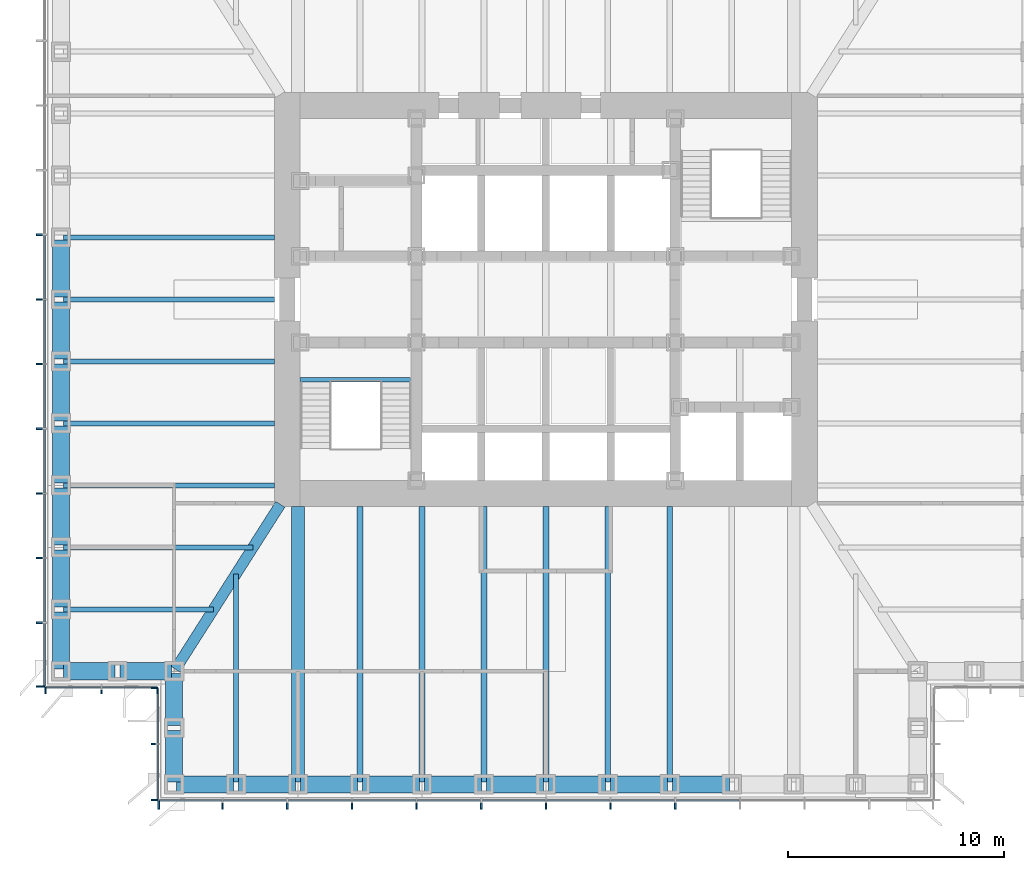
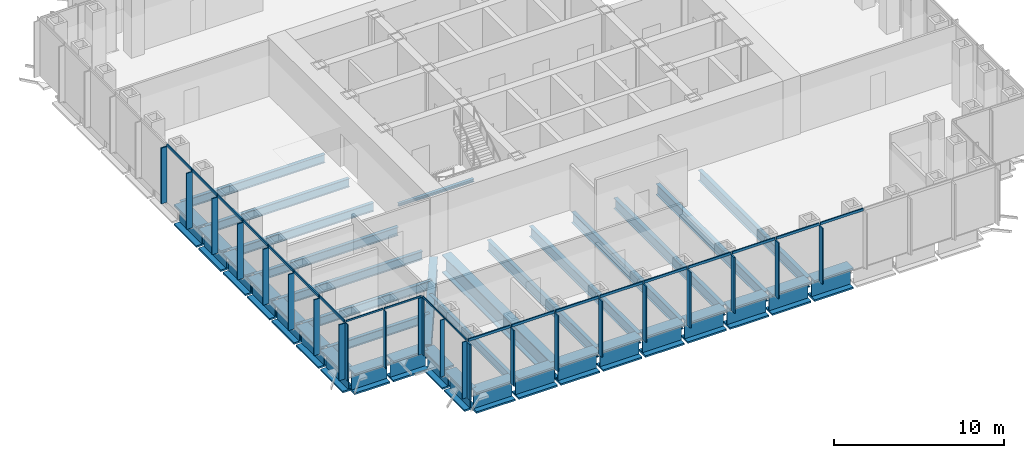
# One storey, part 2 of 17: 43 members, 37 beams, 4 elements without a shape of their own.
"""IFC4 building model written with IfcOpenShell, lengths in metres."""

from ifc_helpers import new_model, si_unit, direction, frame, origin, origin_2d, place, context, subcontext, project, spatial, rectangle, i_section, extrude, material, material_profile, profile_set, type_object, element, aggregate, save


model = new_model("IFC4")

# Units and contexts
model_context = context("Model", 3, precision=1e-05, world=origin(), true_north=direction((0.0, 1.0)))
body_context = subcontext(model_context, "Body", "Model", "MODEL_VIEW")
ifc_project = project(units=[si_unit("LENGTHUNIT", "METRE"), si_unit("AREAUNIT", "SQUARE_METRE"), si_unit("VOLUMEUNIT", "CUBIC_METRE"), si_unit("PLANEANGLEUNIT", "RADIAN"), si_unit("MASSUNIT", "GRAM", prefix="KILO")], contexts=[model_context])

# Site, building, storey
site_placement = place(None, origin())
site = spatial("IfcSite", under=ifc_project, at=site_placement, CompositionType="ELEMENT")
building_placement = place(site_placement, origin())
building = spatial("IfcBuilding", under=site, at=building_placement, Name="Daluyong Arena Tower", CompositionType="ELEMENT")
storey_placement = place(building_placement, frame((0.0, 0.0, 112.300048828125)))
storey = spatial("IfcBuildingStorey", under=building, at=storey_placement, Name="L24", CompositionType="ELEMENT", Elevation=112.300048828125)

# Curtain wall, members
ifc_material_1 = material(Name="Bronze anodised aluminium and glass", Category="aluminium")
curtain_wall_type_1 = type_object("IfcCurtainWallType", Name="Curtain wall CW2", PredefinedType="USERDEFINED", material=ifc_material_1)
curtain_wall_1_placement = place(storey_placement, origin())
curtain_wall_1 = element("IfcCurtainWall", 1, at=curtain_wall_1_placement, inside=storey, type_object=curtain_wall_type_1, Name="curtain wall L24 S", ObjectType="UNITISED CURTAIN WALL", PredefinedType="USERDEFINED")
ifc_material_2 = material(Name="Bronze anodised aluminium fin", Category="aluminium")
ifc_material_profile_1 = material_profile(ifc_material_2, rectangle(XDim=0.39990234375, YDim=0.080078125, at=origin_2d()))
ifc_profile_set_1 = profile_set([ifc_material_profile_1], Name="Bronze anodised aluminium fin")
member_type_1 = type_object("IfcMemberType", Name="CW2 bronze fin 400x80", PredefinedType="MULLION", material=ifc_profile_set_1)
member_1_placement = place(storey_placement, frame((38.0400390625, 56.550048828125, 0.0), z_axis=(0.0, 0.0, 1.0), x_axis=(0.0, 1.0, 0.0)))
member_1 = element("IfcMember", 2, at=member_1_placement, type_object=member_type_1, Name="curtain wall L24 S fin 1", PredefinedType="MULLION", context=body_context, shape_type="SweptSolid", body=[
    extrude(rectangle(XDim=0.39990234375, YDim=0.080078125, at=origin_2d()), origin(), (0.0, 0.0, 1.0), 4.02001953125),
])
member_2_placement = place(storey_placement, frame((41.0, 56.550048828125, 0.0), z_axis=(0.0, 0.0, 1.0), x_axis=(0.0, 1.0, 0.0)))
member_2 = element("IfcMember", 3, at=member_2_placement, type_object=member_type_1, Name="curtain wall L24 S fin 2", PredefinedType="MULLION", context=body_context, shape_type="SweptSolid", body=[
    extrude(rectangle(XDim=0.39990234375, YDim=0.080078125, at=origin_2d()), origin(), (0.0, 0.0, 1.0), 4.02001953125),
])
member_3_placement = place(storey_placement, frame((44.0, 56.550048828125, 0.0), z_axis=(0.0, 0.0, 1.0), x_axis=(0.0, 1.0, 0.0)))
member_3 = element("IfcMember", 4, at=member_3_placement, type_object=member_type_1, Name="curtain wall L24 S fin 3", PredefinedType="MULLION", context=body_context, shape_type="SweptSolid", body=[
    extrude(rectangle(XDim=0.39990234375, YDim=0.080078125, at=origin_2d()), origin(), (0.0, 0.0, 1.0), 4.02001953125),
])
member_4_placement = place(storey_placement, frame((47.0, 56.550048828125, 0.0), z_axis=(0.0, 0.0, 1.0), x_axis=(0.0, 1.0, 0.0)))
member_4 = element("IfcMember", 5, at=member_4_placement, type_object=member_type_1, Name="curtain wall L24 S fin 4", PredefinedType="MULLION", context=body_context, shape_type="SweptSolid", body=[
    extrude(rectangle(XDim=0.39990234375, YDim=0.080078125, at=origin_2d()), origin(), (0.0, 0.0, 1.0), 4.02001953125),
])
member_5_placement = place(storey_placement, frame((50.0, 56.550048828125, 0.0), z_axis=(0.0, 0.0, 1.0), x_axis=(0.0, 1.0, 0.0)))
member_5 = element("IfcMember", 6, at=member_5_placement, type_object=member_type_1, Name="curtain wall L24 S fin 5", PredefinedType="MULLION", context=body_context, shape_type="SweptSolid", body=[
    extrude(rectangle(XDim=0.39990234375, YDim=0.080078125, at=origin_2d()), origin(), (0.0, 0.0, 1.0), 4.02001953125),
])
member_6_placement = place(storey_placement, frame((53.0, 56.550048828125, 0.0), z_axis=(0.0, 0.0, 1.0), x_axis=(0.0, 1.0, 0.0)))
member_6 = element("IfcMember", 7, at=member_6_placement, type_object=member_type_1, Name="curtain wall L24 S fin 6", PredefinedType="MULLION", context=body_context, shape_type="SweptSolid", body=[
    extrude(rectangle(XDim=0.39990234375, YDim=0.080078125, at=origin_2d()), origin(), (0.0, 0.0, 1.0), 4.02001953125),
])
member_7_placement = place(storey_placement, frame((56.0, 56.550048828125, 0.0), z_axis=(0.0, 0.0, 1.0), x_axis=(0.0, 1.0, 0.0)))
member_7 = element("IfcMember", 8, at=member_7_placement, type_object=member_type_1, Name="curtain wall L24 S fin 7", PredefinedType="MULLION", context=body_context, shape_type="SweptSolid", body=[
    extrude(rectangle(XDim=0.39990234375, YDim=0.080078125, at=origin_2d()), origin(), (0.0, 0.0, 1.0), 4.02001953125),
])
member_8_placement = place(storey_placement, frame((59.0, 56.550048828125, 0.0), z_axis=(0.0, 0.0, 1.0), x_axis=(0.0, 1.0, 0.0)))
member_8 = element("IfcMember", 9, at=member_8_placement, type_object=member_type_1, Name="curtain wall L24 S fin 8", PredefinedType="MULLION", context=body_context, shape_type="SweptSolid", body=[
    extrude(rectangle(XDim=0.39990234375, YDim=0.080078125, at=origin_2d()), origin(), (0.0, 0.0, 1.0), 4.02001953125),
])
member_9_placement = place(storey_placement, frame((62.0, 56.550048828125, 0.0), z_axis=(0.0, 0.0, 1.0), x_axis=(0.0, 1.0, 0.0)))
member_9 = element("IfcMember", 10, at=member_9_placement, type_object=member_type_1, Name="curtain wall L24 S fin 9", PredefinedType="MULLION", context=body_context, shape_type="SweptSolid", body=[
    extrude(rectangle(XDim=0.39990234375, YDim=0.080078125, at=origin_2d()), origin(), (0.0, 0.0, 1.0), 4.02001953125),
])

curtain_wall_2_placement = place(storey_placement, origin())
curtain_wall_2 = element("IfcCurtainWall", 11, at=curtain_wall_2_placement, inside=storey, type_object=curtain_wall_type_1, Name="curtain wall L24 W", ObjectType="UNITISED CURTAIN WALL", PredefinedType="USERDEFINED")
member_10_placement = place(storey_placement, frame((32.550048828125, 83.0, 0.0), z_axis=(0.0, 0.0, 1.0), x_axis=(1.0, 0.0, 0.0)))
member_10 = element("IfcMember", 12, at=member_10_placement, type_object=member_type_1, Name="curtain wall L24 W fin 6", PredefinedType="MULLION", context=body_context, shape_type="SweptSolid", body=[
    extrude(rectangle(XDim=0.39990234375, YDim=0.080078125, at=origin_2d()), origin(), (0.0, 0.0, 1.0), 4.02001953125),
])
member_11_placement = place(storey_placement, frame((32.550048828125, 80.0, 0.0), z_axis=(0.0, 0.0, 1.0), x_axis=(1.0, 0.0, 0.0)))
member_11 = element("IfcMember", 13, at=member_11_placement, type_object=member_type_1, Name="curtain wall L24 W fin 7", PredefinedType="MULLION", context=body_context, shape_type="SweptSolid", body=[
    extrude(rectangle(XDim=0.39990234375, YDim=0.080078125, at=origin_2d()), origin(), (0.0, 0.0, 1.0), 4.02001953125),
])
member_12_placement = place(storey_placement, frame((32.550048828125, 77.0, 0.0), z_axis=(0.0, 0.0, 1.0), x_axis=(1.0, 0.0, 0.0)))
member_12 = element("IfcMember", 14, at=member_12_placement, type_object=member_type_1, Name="curtain wall L24 W fin 8", PredefinedType="MULLION", context=body_context, shape_type="SweptSolid", body=[
    extrude(rectangle(XDim=0.39990234375, YDim=0.080078125, at=origin_2d()), origin(), (0.0, 0.0, 1.0), 4.02001953125),
])
member_13_placement = place(storey_placement, frame((32.550048828125, 74.0, 0.0), z_axis=(0.0, 0.0, 1.0), x_axis=(1.0, 0.0, 0.0)))
member_13 = element("IfcMember", 15, at=member_13_placement, type_object=member_type_1, Name="curtain wall L24 W fin 9", PredefinedType="MULLION", context=body_context, shape_type="SweptSolid", body=[
    extrude(rectangle(XDim=0.39990234375, YDim=0.080078125, at=origin_2d()), origin(), (0.0, 0.0, 1.0), 4.02001953125),
])
member_14_placement = place(storey_placement, frame((32.550048828125, 71.0, 0.0), z_axis=(0.0, 0.0, 1.0), x_axis=(1.0, 0.0, 0.0)))
member_14 = element("IfcMember", 16, at=member_14_placement, type_object=member_type_1, Name="curtain wall L24 W fin 10", PredefinedType="MULLION", context=body_context, shape_type="SweptSolid", body=[
    extrude(rectangle(XDim=0.39990234375, YDim=0.080078125, at=origin_2d()), origin(), (0.0, 0.0, 1.0), 4.02001953125),
])
member_15_placement = place(storey_placement, frame((32.550048828125, 68.0, 0.0), z_axis=(0.0, 0.0, 1.0), x_axis=(1.0, 0.0, 0.0)))
member_15 = element("IfcMember", 17, at=member_15_placement, type_object=member_type_1, Name="curtain wall L24 W fin 11", PredefinedType="MULLION", context=body_context, shape_type="SweptSolid", body=[
    extrude(rectangle(XDim=0.39990234375, YDim=0.080078125, at=origin_2d()), origin(), (0.0, 0.0, 1.0), 4.02001953125),
])
member_16_placement = place(storey_placement, frame((32.550048828125, 65.0, 0.0), z_axis=(0.0, 0.0, 1.0), x_axis=(1.0, 0.0, 0.0)))
member_16 = element("IfcMember", 18, at=member_16_placement, type_object=member_type_1, Name="curtain wall L24 W fin 12", PredefinedType="MULLION", context=body_context, shape_type="SweptSolid", body=[
    extrude(rectangle(XDim=0.39990234375, YDim=0.080078125, at=origin_2d()), origin(), (0.0, 0.0, 1.0), 4.02001953125),
])
member_17_placement = place(storey_placement, frame((32.550048828125, 62.0400390625, 0.0), z_axis=(0.0, 0.0, 1.0), x_axis=(1.0, 0.0, 0.0)))
member_17 = element("IfcMember", 19, at=member_17_placement, type_object=member_type_1, Name="curtain wall L24 W fin 13", PredefinedType="MULLION", context=body_context, shape_type="SweptSolid", body=[
    extrude(rectangle(XDim=0.39990234375, YDim=0.080078125, at=origin_2d()), origin(), (0.0, 0.0, 1.0), 4.02001953125),
])

# Member
ifc_material_3 = material(Name="Bronze anodised aluminium", Category="aluminium")
ifc_material_profile_2 = material_profile(ifc_material_3, rectangle(XDim=0.080078125, YDim=0.179931640625, at=origin_2d()))
ifc_profile_set_2 = profile_set([ifc_material_profile_2], Name="Bronze anodised aluminium")
member_type_2 = type_object("IfcMemberType", Name="CW2 stack transom 180x80", PredefinedType="USERDEFINED", material=ifc_profile_set_2)
member_18_placement = place(storey_placement, frame((38.080078125, 56.75, 4.10986328125), z_axis=(1.0, 0.0, 0.0), x_axis=(0.0, 1.0, 0.0)))
member_18 = element("IfcMember", 20, at=member_18_placement, type_object=member_type_2, Name="curtain wall L24 S transom 1", ObjectType="TRANSOM", PredefinedType="USERDEFINED", context=body_context, shape_type="SweptSolid", body=[
    extrude(rectangle(XDim=0.080078125, YDim=0.179931640625, at=origin_2d()), origin(), (0.0, 0.0, 1.0), 2.8798828125),
])

member_19_placement = place(storey_placement, frame((41.0400390625, 56.75, 4.10986328125), z_axis=(1.0, 0.0, 0.0), x_axis=(0.0, 1.0, 0.0)))
member_19 = element("IfcMember", 21, at=member_19_placement, type_object=member_type_2, Name="curtain wall L24 S transom 2", ObjectType="TRANSOM", PredefinedType="USERDEFINED", context=body_context, shape_type="SweptSolid", body=[
    extrude(rectangle(XDim=0.080078125, YDim=0.179931640625, at=origin_2d()), origin(), (0.0, 0.0, 1.0), 2.919921875),
])

member_20_placement = place(storey_placement, frame((44.0400390625, 56.75, 4.10986328125), z_axis=(1.0, 0.0, 0.0), x_axis=(0.0, 1.0, 0.0)))
member_20 = element("IfcMember", 22, at=member_20_placement, type_object=member_type_2, Name="curtain wall L24 S transom 3", ObjectType="TRANSOM", PredefinedType="USERDEFINED", context=body_context, shape_type="SweptSolid", body=[
    extrude(rectangle(XDim=0.080078125, YDim=0.179931640625, at=origin_2d()), origin(), (0.0, 0.0, 1.0), 2.919921875),
])

member_21_placement = place(storey_placement, frame((47.0400390625, 56.75, 4.10986328125), z_axis=(1.0, 0.0, 0.0), x_axis=(0.0, 1.0, 0.0)))
member_21 = element("IfcMember", 23, at=member_21_placement, type_object=member_type_2, Name="curtain wall L24 S transom 4", ObjectType="TRANSOM", PredefinedType="USERDEFINED", context=body_context, shape_type="SweptSolid", body=[
    extrude(rectangle(XDim=0.080078125, YDim=0.179931640625, at=origin_2d()), origin(), (0.0, 0.0, 1.0), 2.919921875),
])

member_22_placement = place(storey_placement, frame((50.0400390625, 56.75, 4.10986328125), z_axis=(1.0, 0.0, 0.0), x_axis=(0.0, 1.0, 0.0)))
member_22 = element("IfcMember", 24, at=member_22_placement, type_object=member_type_2, Name="curtain wall L24 S transom 5", ObjectType="TRANSOM", PredefinedType="USERDEFINED", context=body_context, shape_type="SweptSolid", body=[
    extrude(rectangle(XDim=0.080078125, YDim=0.179931640625, at=origin_2d()), origin(), (0.0, 0.0, 1.0), 2.919921875),
])

member_23_placement = place(storey_placement, frame((53.0400390625, 56.75, 4.10986328125), z_axis=(1.0, 0.0, 0.0), x_axis=(0.0, 1.0, 0.0)))
member_23 = element("IfcMember", 25, at=member_23_placement, type_object=member_type_2, Name="curtain wall L24 S transom 6", ObjectType="TRANSOM", PredefinedType="USERDEFINED", context=body_context, shape_type="SweptSolid", body=[
    extrude(rectangle(XDim=0.080078125, YDim=0.179931640625, at=origin_2d()), origin(), (0.0, 0.0, 1.0), 2.919921875),
])

member_24_placement = place(storey_placement, frame((56.0400390625, 56.75, 4.10986328125), z_axis=(1.0, 0.0, 0.0), x_axis=(0.0, 1.0, 0.0)))
member_24 = element("IfcMember", 26, at=member_24_placement, type_object=member_type_2, Name="curtain wall L24 S transom 7", ObjectType="TRANSOM", PredefinedType="USERDEFINED", context=body_context, shape_type="SweptSolid", body=[
    extrude(rectangle(XDim=0.080078125, YDim=0.179931640625, at=origin_2d()), origin(), (0.0, 0.0, 1.0), 2.919921875),
])

member_25_placement = place(storey_placement, frame((59.0400390625, 56.75, 4.10986328125), z_axis=(1.0, 0.0, 0.0), x_axis=(0.0, 1.0, 0.0)))
member_25 = element("IfcMember", 27, at=member_25_placement, type_object=member_type_2, Name="curtain wall L24 S transom 8", ObjectType="TRANSOM", PredefinedType="USERDEFINED", context=body_context, shape_type="SweptSolid", body=[
    extrude(rectangle(XDim=0.080078125, YDim=0.179931640625, at=origin_2d()), origin(), (0.0, 0.0, 1.0), 2.919921875),
])

member_26_placement = place(storey_placement, frame((62.0400390625, 56.75, 4.10986328125), z_axis=(1.0, 0.0, 0.0), x_axis=(0.0, 1.0, 0.0)))
member_26 = element("IfcMember", 28, at=member_26_placement, type_object=member_type_2, Name="curtain wall L24 S transom 9", ObjectType="TRANSOM", PredefinedType="USERDEFINED", context=body_context, shape_type="SweptSolid", body=[
    extrude(rectangle(XDim=0.080078125, YDim=0.179931640625, at=origin_2d()), origin(), (0.0, 0.0, 1.0), 2.919921875),
])

aggregate(curtain_wall_1, [member_1, member_2, member_3, member_4, member_5, member_6, member_7, member_8, member_9, member_18, member_19, member_20, member_21, member_22, member_23, member_24, member_25, member_26])

member_27_placement = place(storey_placement, frame((32.75, 82.9599609375, 4.10986328125), z_axis=(0.0, -1.0, 0.0), x_axis=(1.0, 0.0, 0.0)))
member_27 = element("IfcMember", 29, at=member_27_placement, type_object=member_type_2, Name="curtain wall L24 W transom 6", ObjectType="TRANSOM", PredefinedType="USERDEFINED", context=body_context, shape_type="SweptSolid", body=[
    extrude(rectangle(XDim=0.080078125, YDim=0.179931640625, at=origin_2d()), origin(), (0.0, 0.0, 1.0), 2.919921875),
])

member_28_placement = place(storey_placement, frame((32.75, 79.9599609375, 4.10986328125), z_axis=(0.0, -1.0, 0.0), x_axis=(1.0, 0.0, 0.0)))
member_28 = element("IfcMember", 30, at=member_28_placement, type_object=member_type_2, Name="curtain wall L24 W transom 7", ObjectType="TRANSOM", PredefinedType="USERDEFINED", context=body_context, shape_type="SweptSolid", body=[
    extrude(rectangle(XDim=0.080078125, YDim=0.179931640625, at=origin_2d()), origin(), (0.0, 0.0, 1.0), 2.919921875),
])

member_29_placement = place(storey_placement, frame((32.75, 76.9599609375, 4.10986328125), z_axis=(0.0, -1.0, 0.0), x_axis=(1.0, 0.0, 0.0)))
member_29 = element("IfcMember", 31, at=member_29_placement, type_object=member_type_2, Name="curtain wall L24 W transom 8", ObjectType="TRANSOM", PredefinedType="USERDEFINED", context=body_context, shape_type="SweptSolid", body=[
    extrude(rectangle(XDim=0.080078125, YDim=0.179931640625, at=origin_2d()), origin(), (0.0, 0.0, 1.0), 2.919921875),
])

member_30_placement = place(storey_placement, frame((32.75, 73.9599609375, 4.10986328125), z_axis=(0.0, -1.0, 0.0), x_axis=(1.0, 0.0, 0.0)))
member_30 = element("IfcMember", 32, at=member_30_placement, type_object=member_type_2, Name="curtain wall L24 W transom 9", ObjectType="TRANSOM", PredefinedType="USERDEFINED", context=body_context, shape_type="SweptSolid", body=[
    extrude(rectangle(XDim=0.080078125, YDim=0.179931640625, at=origin_2d()), origin(), (0.0, 0.0, 1.0), 2.919921875),
])

member_31_placement = place(storey_placement, frame((32.75, 70.9599609375, 4.10986328125), z_axis=(0.0, -1.0, 0.0), x_axis=(1.0, 0.0, 0.0)))
member_31 = element("IfcMember", 33, at=member_31_placement, type_object=member_type_2, Name="curtain wall L24 W transom 10", ObjectType="TRANSOM", PredefinedType="USERDEFINED", context=body_context, shape_type="SweptSolid", body=[
    extrude(rectangle(XDim=0.080078125, YDim=0.179931640625, at=origin_2d()), origin(), (0.0, 0.0, 1.0), 2.919921875),
])

member_32_placement = place(storey_placement, frame((32.75, 67.9599609375, 4.10986328125), z_axis=(0.0, -1.0, 0.0), x_axis=(1.0, 0.0, 0.0)))
member_32 = element("IfcMember", 34, at=member_32_placement, type_object=member_type_2, Name="curtain wall L24 W transom 11", ObjectType="TRANSOM", PredefinedType="USERDEFINED", context=body_context, shape_type="SweptSolid", body=[
    extrude(rectangle(XDim=0.080078125, YDim=0.179931640625, at=origin_2d()), origin(), (0.0, 0.0, 1.0), 2.919921875),
])

member_33_placement = place(storey_placement, frame((32.75, 64.9599609375, 4.10986328125), z_axis=(0.0, -1.0, 0.0), x_axis=(1.0, 0.0, 0.0)))
member_33 = element("IfcMember", 35, at=member_33_placement, type_object=member_type_2, Name="curtain wall L24 W transom 12", ObjectType="TRANSOM", PredefinedType="USERDEFINED", context=body_context, shape_type="SweptSolid", body=[
    extrude(rectangle(XDim=0.080078125, YDim=0.179931640625, at=origin_2d()), origin(), (0.0, 0.0, 1.0), 2.8798828125),
])

aggregate(curtain_wall_2, [member_10, member_11, member_12, member_13, member_14, member_15, member_16, member_17, member_27, member_28, member_29, member_30, member_31, member_32, member_33])

# Curtain wall, members
ifc_material_4 = material(Name="Bronze anodised aluminium and glass", Category="aluminium")
curtain_wall_type_2 = type_object("IfcCurtainWallType", Name="Curtain wall CW7", PredefinedType="USERDEFINED", material=ifc_material_4)
curtain_wall_3_placement = place(storey_placement, origin())
curtain_wall_3 = element("IfcCurtainWall", 36, at=curtain_wall_3_placement, inside=storey, type_object=curtain_wall_type_2, Name="curtain wall L24 SW-S", ObjectType="UNITISED CURTAIN WALL", PredefinedType="USERDEFINED")
ifc_material_5 = material(Name="Bronze anodised aluminium fin", Category="aluminium")
ifc_material_profile_3 = material_profile(ifc_material_5, rectangle(XDim=0.300048828125, YDim=0.06005859375, at=origin_2d()))
ifc_profile_set_3 = profile_set([ifc_material_profile_3], Name="Bronze anodised aluminium fin")
member_type_3 = type_object("IfcMemberType", Name="CW7 bronze fin 300x60", PredefinedType="MULLION", material=ifc_profile_set_3)
member_34_placement = place(storey_placement, frame((32.780029296875, 61.85009765625, 0.0), z_axis=(0.0, 0.0, 1.0), x_axis=(0.0, 1.0, 0.0)))
member_34 = element("IfcMember", 37, at=member_34_placement, type_object=member_type_3, Name="curtain wall L24 SW-S fin 1", PredefinedType="MULLION", context=body_context, shape_type="SweptSolid", body=[
    extrude(rectangle(XDim=0.300048828125, YDim=0.06005859375, at=origin_2d()), origin(), (0.0, 0.0, 1.0), 4.079833984375),
])
member_35_placement = place(storey_placement, frame((35.375, 61.85009765625, 0.0), z_axis=(0.0, 0.0, 1.0), x_axis=(0.0, 1.0, 0.0)))
member_35 = element("IfcMember", 38, at=member_35_placement, type_object=member_type_3, Name="curtain wall L24 SW-S fin 2", PredefinedType="MULLION", context=body_context, shape_type="SweptSolid", body=[
    extrude(rectangle(XDim=0.300048828125, YDim=0.06005859375, at=origin_2d()), origin(), (0.0, 0.0, 1.0), 4.079833984375),
])
member_36_placement = place(storey_placement, frame((37.969970703125, 61.85009765625, 0.0), z_axis=(0.0, 0.0, 1.0), x_axis=(0.0, 1.0, 0.0)))
member_36 = element("IfcMember", 39, at=member_36_placement, type_object=member_type_3, Name="curtain wall L24 SW-S fin 3", PredefinedType="MULLION", context=body_context, shape_type="SweptSolid", body=[
    extrude(rectangle(XDim=0.300048828125, YDim=0.06005859375, at=origin_2d()), origin(), (0.0, 0.0, 1.0), 4.079833984375),
])

curtain_wall_4_placement = place(storey_placement, origin())
curtain_wall_4 = element("IfcCurtainWall", 40, at=curtain_wall_4_placement, inside=storey, type_object=curtain_wall_type_2, Name="curtain wall L24 SW-W", ObjectType="UNITISED CURTAIN WALL", PredefinedType="USERDEFINED")
member_37_placement = place(storey_placement, frame((37.85009765625, 61.969970703125, 0.0), z_axis=(0.0, 0.0, 1.0), x_axis=(1.0, 0.0, 0.0)))
member_37 = element("IfcMember", 41, at=member_37_placement, type_object=member_type_3, Name="curtain wall L24 SW-W fin 1", PredefinedType="MULLION", context=body_context, shape_type="SweptSolid", body=[
    extrude(rectangle(XDim=0.300048828125, YDim=0.06005859375, at=origin_2d()), origin(), (0.0, 0.0, 1.0), 4.079833984375),
])
member_38_placement = place(storey_placement, frame((37.85009765625, 59.375, 0.0), z_axis=(0.0, 0.0, 1.0), x_axis=(1.0, 0.0, 0.0)))
member_38 = element("IfcMember", 42, at=member_38_placement, type_object=member_type_3, Name="curtain wall L24 SW-W fin 2", PredefinedType="MULLION", context=body_context, shape_type="SweptSolid", body=[
    extrude(rectangle(XDim=0.300048828125, YDim=0.06005859375, at=origin_2d()), origin(), (0.0, 0.0, 1.0), 4.079833984375),
])
member_39_placement = place(storey_placement, frame((37.85009765625, 56.780029296875, 0.0), z_axis=(0.0, 0.0, 1.0), x_axis=(1.0, 0.0, 0.0)))
member_39 = element("IfcMember", 43, at=member_39_placement, type_object=member_type_3, Name="curtain wall L24 SW-W fin 3", PredefinedType="MULLION", context=body_context, shape_type="SweptSolid", body=[
    extrude(rectangle(XDim=0.300048828125, YDim=0.06005859375, at=origin_2d()), origin(), (0.0, 0.0, 1.0), 4.079833984375),
])

# Member
ifc_material_6 = material(Name="Bronze anodised aluminium", Category="aluminium")
ifc_material_profile_4 = material_profile(ifc_material_6, rectangle(XDim=0.06005859375, YDim=0.1201171875, at=origin_2d()))
ifc_profile_set_4 = profile_set([ifc_material_profile_4], Name="Bronze anodised aluminium")
member_type_4 = type_object("IfcMemberType", Name="CW7 stack transom 120x60", PredefinedType="USERDEFINED", material=ifc_profile_set_4)
member_40_placement = place(storey_placement, frame((32.81005859375, 62.0, 4.139892578125), z_axis=(1.0, 0.0, 0.0), x_axis=(0.0, 1.0, 0.0)))
member_40 = element("IfcMember", 44, at=member_40_placement, type_object=member_type_4, Name="curtain wall L24 SW-S transom 1", ObjectType="TRANSOM", PredefinedType="USERDEFINED", context=body_context, shape_type="SweptSolid", body=[
    extrude(rectangle(XDim=0.06005859375, YDim=0.1201171875, at=origin_2d()), origin(), (0.0, 0.0, 1.0), 2.534912109375),
])

member_41_placement = place(storey_placement, frame((35.405029296875, 62.0, 4.139892578125), z_axis=(1.0, 0.0, 0.0), x_axis=(0.0, 1.0, 0.0)))
member_41 = element("IfcMember", 45, at=member_41_placement, type_object=member_type_4, Name="curtain wall L24 SW-S transom 2", ObjectType="TRANSOM", PredefinedType="USERDEFINED", context=body_context, shape_type="SweptSolid", body=[
    extrude(rectangle(XDim=0.06005859375, YDim=0.1201171875, at=origin_2d()), origin(), (0.0, 0.0, 1.0), 2.534912109375),
])

aggregate(curtain_wall_3, [member_34, member_35, member_36, member_40, member_41])

member_42_placement = place(storey_placement, frame((38.0, 61.93994140625, 4.139892578125), z_axis=(0.0, -1.0, 0.0), x_axis=(1.0, 0.0, 0.0)))
member_42 = element("IfcMember", 46, at=member_42_placement, type_object=member_type_4, Name="curtain wall L24 SW-W transom 1", ObjectType="TRANSOM", PredefinedType="USERDEFINED", context=body_context, shape_type="SweptSolid", body=[
    extrude(rectangle(XDim=0.06005859375, YDim=0.1201171875, at=origin_2d()), origin(), (0.0, 0.0, 1.0), 2.534912109375),
])

member_43_placement = place(storey_placement, frame((38.0, 59.344970703125, 4.139892578125), z_axis=(0.0, -1.0, 0.0), x_axis=(1.0, 0.0, 0.0)))
member_43 = element("IfcMember", 47, at=member_43_placement, type_object=member_type_4, Name="curtain wall L24 SW-W transom 2", ObjectType="TRANSOM", PredefinedType="USERDEFINED", context=body_context, shape_type="SweptSolid", body=[
    extrude(rectangle(XDim=0.06005859375, YDim=0.1201171875, at=origin_2d()), origin(), (0.0, 0.0, 1.0), 2.534912109375),
])

aggregate(curtain_wall_4, [member_37, member_38, member_39, member_42, member_43])

# Beams
ifc_material_7 = material(Name="Steel ASTM A572 Grade 50", Category="steel")
ifc_material_profile_5 = material_profile(ifc_material_7, i_section(OverallWidth=0.5, OverallDepth=1.0, WebThickness=0.03, FlangeThickness=0.06, at=origin_2d()))
ifc_profile_set_5 = profile_set([ifc_material_profile_5], Name="Steel ASTM A572 Grade 50")
beam_type_1 = type_object("IfcBeamType", Name="Corner girder TB1000X500", PredefinedType="BEAM", material=ifc_profile_set_5)
beam_1_placement = place(storey_placement, frame((38.811767578125, 62.846923828125, -0.66015625), z_axis=(0.536872006459, 0.843663705916, 0.0), x_axis=(-0.843663705916, 0.536872006459, 0.0)))
element("IfcBeam", 48, at=beam_1_placement, inside=storey, type_object=beam_type_1, Name="corner girder DG2", PredefinedType="BEAM", context=body_context, shape_type="SweptSolid", body=[
    extrude(i_section(OverallWidth=0.5, OverallDepth=1.0, WebThickness=0.03, FlangeThickness=0.06, at=origin_2d()), origin(), (0.0, 0.0, 1.0), 9.06396484375),
])
ifc_material_8 = material(Name="Steel ASTM A572 Grade 50", Category="steel")
ifc_material_profile_6 = material_profile(ifc_material_8, i_section(OverallWidth=0.60009765625, OverallDepth=1.300048828125, WebThickness=0.035, FlangeThickness=0.07, at=origin_2d()))
ifc_profile_set_6 = profile_set([ifc_material_profile_6], Name="Steel ASTM A572 Grade 50")
beam_type_2 = type_object("IfcBeamType", Name="Floor beam TB1300X600", PredefinedType="BEAM", material=ifc_profile_set_6)
beam_2_placement = place(storey_placement, frame((44.5, 57.614990234375, -0.81005859375), z_axis=(0.0, 1.0, 0.0), x_axis=(-1.0, 0.0, 0.0)))
element("IfcBeam", 49, at=beam_2_placement, inside=storey, type_object=beam_type_2, Name="floor beam FB7", PredefinedType="BEAM", context=body_context, shape_type="SweptSolid", body=[
    extrude(i_section(OverallWidth=0.60009765625, OverallDepth=1.300048828125, WebThickness=0.035, FlangeThickness=0.07, at=origin_2d()), origin(), (0.0, 0.0, 1.0), 12.784912109375),
])
ifc_material_9 = material(Name="Steel ASTM A992 Grade 50", Category="steel")
ifc_material_profile_7 = material_profile(ifc_material_9, i_section(OverallWidth=0.22900390625, OverallDepth=0.612060546875, WebThickness=0.011962890625, FlangeThickness=0.01953125, at=origin_2d()))
ifc_profile_set_7 = profile_set([ifc_material_profile_7], Name="Steel ASTM A992 Grade 50")
beam_type_3 = type_object("IfcBeamType", Name="Floor beam W24X84", PredefinedType="BEAM", material=ifc_profile_set_7)
beam_3_placement = place(storey_placement, frame((41.625, 57.614990234375, -0.466064453125), z_axis=(0.0, 1.0, 0.0), x_axis=(-1.0, 0.0, 0.0)))
element("IfcBeam", 50, at=beam_3_placement, inside=storey, type_object=beam_type_3, Name="floor beam FB3", PredefinedType="BEAM", context=body_context, shape_type="SweptSolid", body=[
    extrude(i_section(OverallWidth=0.22900390625, OverallDepth=0.612060546875, WebThickness=0.011962890625, FlangeThickness=0.01953125, at=origin_2d()), origin(), (0.0, 0.0, 1.0), 9.65283203125),
])
for number, where, z_axis, x_axis, name in (
    (51, (33.614990234375, 82.875, -0.466064453125), (1.0, 0.0, 0.0), (0.0, 1.0, 0.0), "floor beam FB3"),
    (52, (33.614990234375, 80.0, -0.466064453125), (1.0, 0.0, 0.0), (0.0, 1.0, 0.0), "floor beam FB3"),
    (53, (33.614990234375, 77.125, -0.466064453125), (1.0, 0.0, 0.0), (0.0, 1.0, 0.0), "floor beam FB3"),
    (54, (33.614990234375, 74.25, -0.466064453125), (1.0, 0.0, 0.0), (0.0, 1.0, 0.0), "floor beam FB3"),
    (55, (33.614990234375, 71.375, -0.466064453125), (1.0, 0.0, 0.0), (0.0, 1.0, 0.0), "floor beam FB3"),
):
    element("IfcBeam", number, at=place(storey_placement, frame(where, z_axis=z_axis, x_axis=x_axis)), inside=storey, type_object=beam_type_3, Name=name, PredefinedType="BEAM", context=body_context, shape_type="SweptSolid", body=[
        extrude(i_section(OverallWidth=0.22900390625, OverallDepth=0.612060546875, WebThickness=0.011962890625, FlangeThickness=0.01953125, at=origin_2d()), origin(), (0.0, 0.0, 1.0), 9.784912109375),
    ])
beam_4_placement = place(storey_placement, frame((33.614990234375, 68.5, -0.466064453125), z_axis=(1.0, 0.0, 0.0), x_axis=(0.0, 1.0, 0.0)))
element("IfcBeam", 56, at=beam_4_placement, inside=storey, type_object=beam_type_3, Name="floor beam FB3", PredefinedType="BEAM", context=body_context, shape_type="SweptSolid", body=[
    extrude(i_section(OverallWidth=0.22900390625, OverallDepth=0.612060546875, WebThickness=0.011962890625, FlangeThickness=0.01953125, at=origin_2d()), origin(), (0.0, 0.0, 1.0), 8.794189453125),
])
beam_5_placement = place(storey_placement, frame((33.614990234375, 65.625, -0.466064453125), z_axis=(1.0, 0.0, 0.0), x_axis=(0.0, 1.0, 0.0)))
element("IfcBeam", 57, at=beam_5_placement, inside=storey, type_object=beam_type_3, Name="floor beam FB3", PredefinedType="BEAM", context=body_context, shape_type="SweptSolid", body=[
    extrude(i_section(OverallWidth=0.22900390625, OverallDepth=0.612060546875, WebThickness=0.011962890625, FlangeThickness=0.01953125, at=origin_2d()), origin(), (0.0, 0.0, 1.0), 6.964599609375),
])
ifc_material_10 = material(Name="Steel ASTM A992 Grade 50", Category="steel")
ifc_material_profile_8 = material_profile(ifc_material_10, i_section(OverallWidth=0.2666015625, OverallDepth=0.761962890625, WebThickness=0.014404296875, FlangeThickness=0.021484375, at=origin_2d()))
ifc_profile_set_8 = profile_set([ifc_material_profile_8], Name="Steel ASTM A992 Grade 50")
beam_type_4 = type_object("IfcBeamType", Name="Floor beam W30X116", PredefinedType="BEAM", material=ifc_profile_set_8)
for number, where, z_axis, x_axis, name in (
    (58, (47.375, 57.614990234375, -0.541015625), (0.0, 1.0, 0.0), (-1.0, 0.0, 0.0), "floor beam FB4"),
    (59, (50.25, 57.614990234375, -0.541015625), (0.0, 1.0, 0.0), (-1.0, 0.0, 0.0), "floor beam FB4"),
    (60, (53.125, 57.614990234375, -0.541015625), (0.0, 1.0, 0.0), (-1.0, 0.0, 0.0), "floor beam FB4"),
    (61, (56.0, 57.614990234375, -0.541015625), (0.0, 1.0, 0.0), (-1.0, 0.0, 0.0), "floor beam FB4"),
    (62, (58.875, 57.614990234375, -0.541015625), (0.0, 1.0, 0.0), (-1.0, 0.0, 0.0), "floor beam FB4"),
    (63, (61.75, 57.614990234375, -0.541015625), (0.0, 1.0, 0.0), (-1.0, 0.0, 0.0), "floor beam FB4"),
):
    element("IfcBeam", number, at=place(storey_placement, frame(where, z_axis=z_axis, x_axis=x_axis)), inside=storey, type_object=beam_type_4, Name=name, PredefinedType="BEAM", context=body_context, shape_type="SweptSolid", body=[
        extrude(i_section(OverallWidth=0.2666015625, OverallDepth=0.761962890625, WebThickness=0.014404296875, FlangeThickness=0.021484375, at=origin_2d()), origin(), (0.0, 0.0, 1.0), 12.784912109375),
    ])
ifc_material_11 = material(Name="Steel ASTM A588 Grade 50", Category="steel")
ifc_material_profile_9 = material_profile(ifc_material_11, i_section(OverallWidth=0.800048828125, OverallDepth=1.5, WebThickness=0.05, FlangeThickness=0.12, at=origin_2d()))
ifc_profile_set_9 = profile_set([ifc_material_profile_9], Name="Steel ASTM A588 Grade 50")
beam_type_5 = type_object("IfcBeamType", Name="Spandrel Z2 PG1500X800", PredefinedType="SPANDREL", material=ifc_profile_set_9)
for number, where, z_axis, x_axis, name in (
    (64, (38.864990234375, 57.5, -0.91015625), (1.0, 0.0, 0.0), (0.0, 1.0, 0.0), "spandrel z2 SB5"),
    (65, (41.739990234375, 57.5, -0.91015625), (1.0, 0.0, 0.0), (0.0, 1.0, 0.0), "spandrel z2 SB5"),
    (66, (44.614990234375, 57.5, -0.91015625), (1.0, 0.0, 0.0), (0.0, 1.0, 0.0), "spandrel z2 SB5"),
    (67, (47.489990234375, 57.5, -0.91015625), (1.0, 0.0, 0.0), (0.0, 1.0, 0.0), "spandrel z2 SB5"),
    (68, (50.364990234375, 57.5, -0.91015625), (1.0, 0.0, 0.0), (0.0, 1.0, 0.0), "spandrel z2 SB5"),
    (69, (53.239990234375, 57.5, -0.91015625), (1.0, 0.0, 0.0), (0.0, 1.0, 0.0), "spandrel z2 SB5"),
    (70, (56.114990234375, 57.5, -0.91015625), (1.0, 0.0, 0.0), (0.0, 1.0, 0.0), "spandrel z2 SB5"),
    (71, (58.989990234375, 57.5, -0.91015625), (1.0, 0.0, 0.0), (0.0, 1.0, 0.0), "spandrel z2 SB5"),
    (72, (61.864990234375, 57.5, -0.91015625), (1.0, 0.0, 0.0), (0.0, 1.0, 0.0), "spandrel z2 SB5"),
    (73, (33.5, 82.760009765625, -0.91015625), (0.0, -1.0, 0.0), (1.0, 0.0, 0.0), "spandrel z2 SB5"),
    (74, (33.5, 79.885009765625, -0.91015625), (0.0, -1.0, 0.0), (1.0, 0.0, 0.0), "spandrel z2 SB5"),
    (75, (33.5, 77.010009765625, -0.91015625), (0.0, -1.0, 0.0), (1.0, 0.0, 0.0), "spandrel z2 SB5"),
    (76, (33.5, 74.135009765625, -0.91015625), (0.0, -1.0, 0.0), (1.0, 0.0, 0.0), "spandrel z2 SB5"),
    (77, (33.5, 71.260009765625, -0.91015625), (0.0, -1.0, 0.0), (1.0, 0.0, 0.0), "spandrel z2 SB5"),
    (78, (33.5, 68.385009765625, -0.91015625), (0.0, -1.0, 0.0), (1.0, 0.0, 0.0), "spandrel z2 SB5"),
    (79, (33.5, 65.510009765625, -0.91015625), (0.0, -1.0, 0.0), (1.0, 0.0, 0.0), "spandrel z2 SB5"),
):
    element("IfcBeam", number, at=place(storey_placement, frame(where, z_axis=z_axis, x_axis=x_axis)), inside=storey, type_object=beam_type_5, Name=name, PredefinedType="SPANDREL", context=body_context, shape_type="SweptSolid", body=[
        extrude(i_section(OverallWidth=0.800048828125, OverallDepth=1.5, WebThickness=0.05, FlangeThickness=0.12, at=origin_2d()), origin(), (0.0, 0.0, 1.0), 2.64501953125),
    ])
for number, where, z_axis, x_axis, name in (
    (80, (33.614990234375, 62.75, -0.91015625), (1.0, 0.0, 0.0), (0.0, 1.0, 0.0), "spandrel z2 SB5"),
    (81, (36.239990234375, 62.75, -0.91015625), (1.0, 0.0, 0.0), (0.0, 1.0, 0.0), "spandrel z2 SB5"),
    (82, (38.75, 62.635009765625, -0.91015625), (0.0, -1.0, 0.0), (1.0, 0.0, 0.0), "spandrel z2 SB5"),
    (83, (38.75, 60.010009765625, -0.91015625), (0.0, -1.0, 0.0), (1.0, 0.0, 0.0), "spandrel z2 SB5"),
):
    element("IfcBeam", number, at=place(storey_placement, frame(where, z_axis=z_axis, x_axis=x_axis)), inside=storey, type_object=beam_type_5, Name=name, PredefinedType="SPANDREL", context=body_context, shape_type="SweptSolid", body=[
        extrude(i_section(OverallWidth=0.800048828125, OverallDepth=1.5, WebThickness=0.05, FlangeThickness=0.12, at=origin_2d()), origin(), (0.0, 0.0, 1.0), 2.39501953125),
    ])
ifc_material_12 = material(Name="Steel ASTM A992 Grade 50", Category="steel")
ifc_material_profile_10 = material_profile(ifc_material_12, i_section(OverallWidth=0.203125, OverallDepth=0.203125, WebThickness=0.00732421875, FlangeThickness=0.010986328125, at=origin_2d()))
ifc_profile_set_10 = profile_set([ifc_material_profile_10], Name="Steel ASTM A992 Grade 50")
beam_type_6 = type_object("IfcBeamType", Name="Stair landing beam W8X31", PredefinedType="BEAM", material=ifc_profile_set_10)
beam_6_placement = place(storey_placement, frame((44.60009765625, 76.276611328125, -0.26171875), z_axis=(1.0, 0.0, 0.0), x_axis=(0.0, 1.0, 0.0)))
element("IfcBeam", 84, at=beam_6_placement, inside=storey, type_object=beam_type_6, Name="exit stair A landing beam", PredefinedType="BEAM", context=body_context, shape_type="SweptSolid", body=[
    extrude(i_section(OverallWidth=0.203125, OverallDepth=0.203125, WebThickness=0.00732421875, FlangeThickness=0.010986328125, at=origin_2d()), origin(), (0.0, 0.0, 1.0), 5.125),
])

save(model, "model.ifc")
